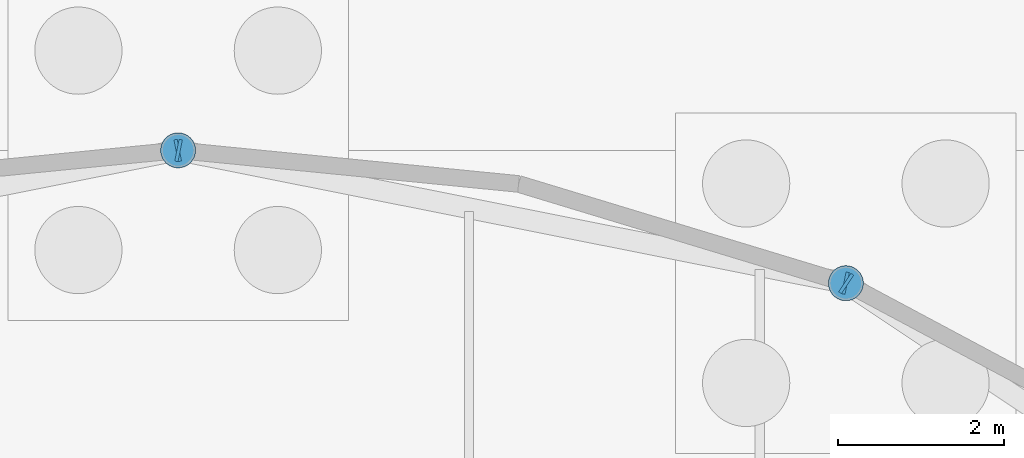
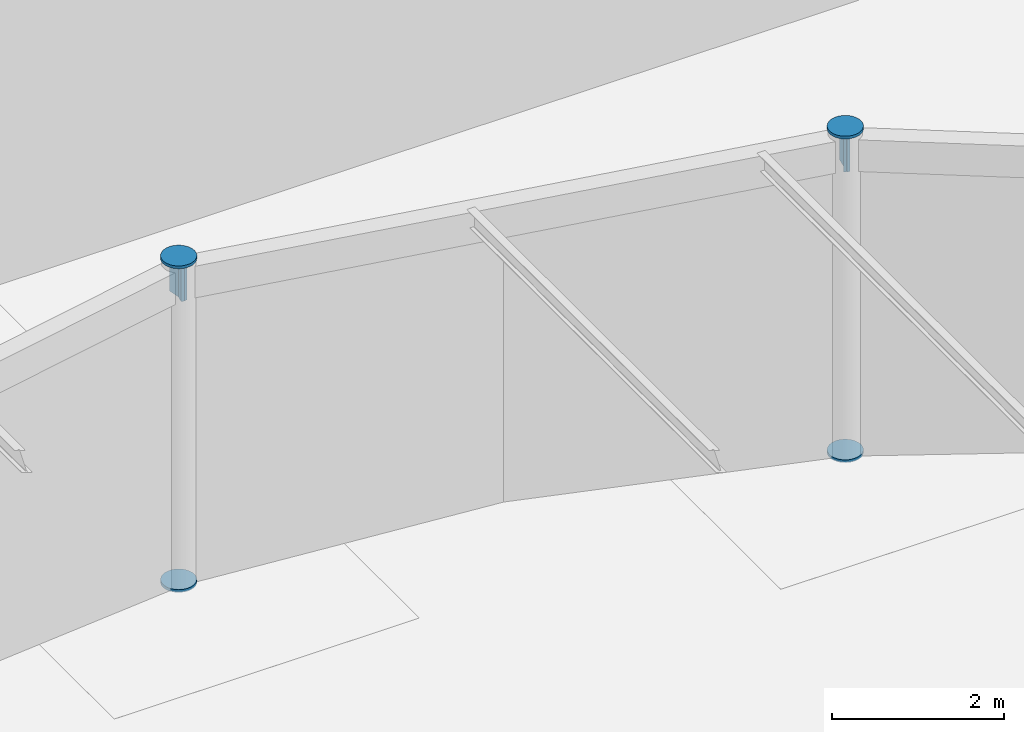
# One storey, part 147 of 160: 8 discrete accessories.
"""IFC4 building model written with IfcOpenShell, lengths in metres."""

from ifc_helpers import new_model, si_unit, direction, frame, origin, origin_2d, place, context, subcontext, project, spatial, rectangle, circle, extrude, material, element, save


model = new_model("IFC4")

# Units and contexts
model_context = context("Model", 3, precision=1e-05, world=origin(), true_north=direction((0.0, 1.0)))
body_context = subcontext(model_context, "Body", "Model", "MODEL_VIEW")
ifc_project = project(units=[si_unit("LENGTHUNIT", "METRE"), si_unit("AREAUNIT", "SQUARE_METRE"), si_unit("VOLUMEUNIT", "CUBIC_METRE"), si_unit("PLANEANGLEUNIT", "RADIAN"), si_unit("MASSUNIT", "GRAM", prefix="KILO")], contexts=[model_context])

# Site, building, storey
site_placement = place(None, origin())
site = spatial("IfcSite", under=ifc_project, at=site_placement, CompositionType="ELEMENT")
building_placement = place(site_placement, origin())
building = spatial("IfcBuilding", under=site, at=building_placement, Name="Marlcrest Central Station", CompositionType="ELEMENT")
storey_placement = place(building_placement, origin())
storey = spatial("IfcBuildingStorey", under=building, at=storey_placement, Name="L00", CompositionType="ELEMENT", Elevation=0.0)

# Discrete accessories
ifc_material = material(Name="Steel S355", Category="steel")
for number, where, z_axis, x_axis, name in (
    (1, (108.0, 131.5, -0.014892578125), (0.0, 0.0, 1.0), (1.0, 0.0, 0.0), "endcap-col-SC-10-L00-0855-s"),
    (2, (108.0, 131.5, 4.585205078125), (0.0, 0.0, 1.0), (1.0, 0.0, 0.0), "endcap-col-SC-10-L00-0855-e"),
    (3, (116.035888671875, 129.90087890625, -0.014892578125), (0.0, 0.0, 1.0), (1.0, 0.0, 0.0), "endcap-col-SC-10-L00-0859-s"),
    (4, (116.035888671875, 129.90087890625, 4.585205078125), (0.0, 0.0, 1.0), (1.0, 0.0, 0.0), "endcap-col-SC-10-L00-0859-e"),
):
    element("IfcDiscreteAccessory", number, at=place(storey_placement, frame(where, z_axis=z_axis, x_axis=x_axis)), inside=storey, material=ifc_material, Name=name, ObjectType="END_CAP_PLATE", PredefinedType="BRACKET", context=body_context, shape_type="SweptSolid", body=[
        extrude(circle(Radius=0.211181640625, at=origin_2d()), origin(), (0.0, 0.0, 1.0), 0.0400390625),
    ])
for number, where, z_axis, x_axis, name in (
    (5, (107.9755859375, 131.4951171875, 4.294921875), (0.980769316421, 0.19517056122, 0.0), (-0.19517056122, 0.980769316421, 0.0), "endcap-bm-SP-02-L00-01421-e"),
    (6, (107.9853515625, 131.5029296875, 4.294921875), (0.980769316421, -0.19517056122, 0.0), (0.19517056122, 0.980769316421, 0.0), "endcap-bm-SP-02-L00-01422-s"),
    (7, (116.011474609375, 129.90576171875, 4.294921875), (0.980769316421, -0.19517056122, 0.0), (0.19517056122, 0.980769316421, 0.0), "endcap-bm-SP-02-L00-01422-e"),
    (8, (116.0234375, 129.9091796875, 4.294921875), (0.831508991937, -0.55551129271, 0.0), (0.55551129271, 0.831508991937, 0.0), "endcap-bm-SP-02-L00-01423-s"),
):
    element("IfcDiscreteAccessory", number, at=place(storey_placement, frame(where, z_axis=z_axis, x_axis=x_axis)), inside=storey, material=ifc_material, Name=name, ObjectType="END_CAP_PLATE", PredefinedType="BRACKET", context=body_context, shape_type="SweptSolid", body=[
        extrude(rectangle(XDim=0.26611328125, YDim=0.466064453125, at=origin_2d()), origin(), (0.0, 0.0, 1.0), 0.0400390625),
    ])

save(model, "model.ifc")
